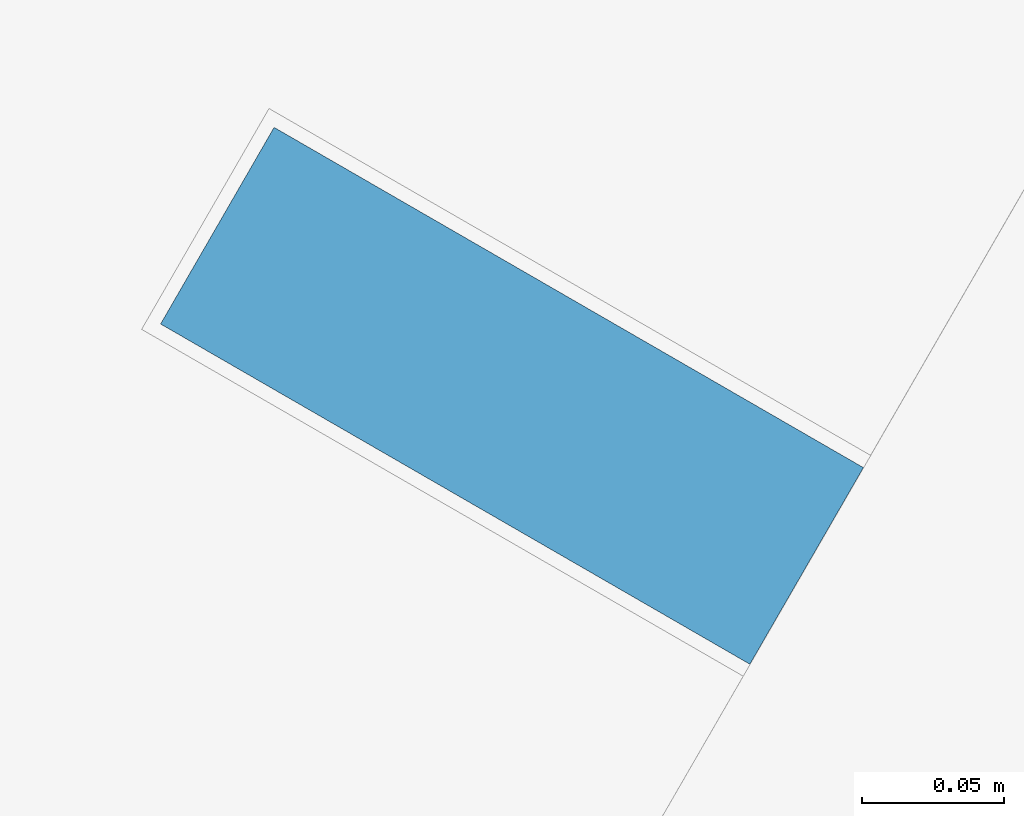
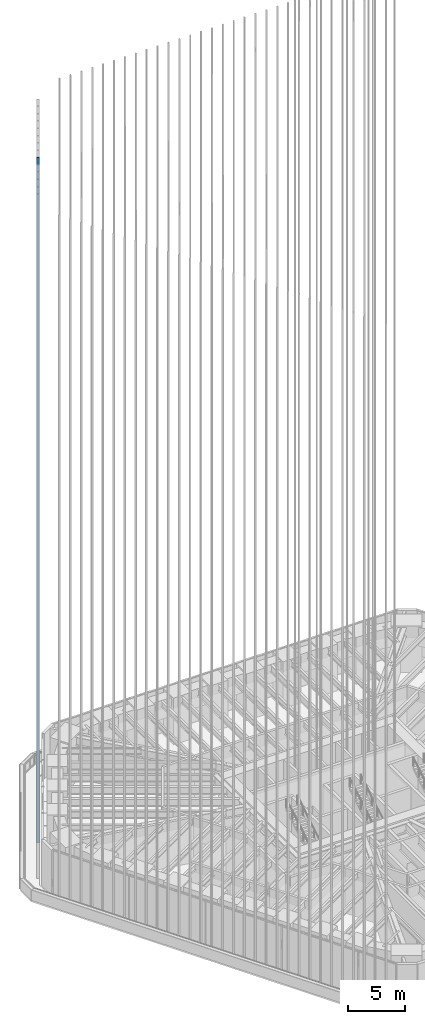
# One storey, part 140 of 228: 1 member, 1 element without a shape of its own.
"""IFC4 building model written with IfcOpenShell, lengths in metres."""

import ifcopenshell
import ifcopenshell.guid

model = None  # the IFC model being written
_history = None  # IfcOwnerHistory: only IFC2X3 demands one
_inside = {}  # id of a spatial element -> (the spatial element, [elements in it])
_under = {}  # id of a project, library or spatial element -> (it, [spatial elements below it])
_declared = {}  # id of a project -> (the project, [libraries it declares])
_typed = {}  # id of a type object -> (the type object, [elements of that type])
_made_of = {}  # id of a material, layer set ... -> (it, [elements and type objects made of it])


def new_model(schema):
    """Start an empty IFC model of exactly this schema.

    Asked for "IFC4X3", IfcOpenShell would pick the latest addendum, in which some entities
    have other attributes; the version numbers below select the first issue.
    IFC2X3 requires an IfcOwnerHistory on every rooted entity: one is made here for all.
    """
    global model, _history
    if schema == "IFC4X3":
        model = ifcopenshell.file(schema_version=(4, 3, 0, 0))
    else:
        model = ifcopenshell.file(schema=schema)
    _inside.clear()
    _under.clear()
    _declared.clear()
    _typed.clear()
    _made_of.clear()
    _history = None
    if model.schema == "IFC2X3":
        org = make("IfcOrganization", Name="unknown")
        user = make(
            "IfcPersonAndOrganization",
            ThePerson=make("IfcPerson", FamilyName="unknown"),
            TheOrganization=org,
        )
        app = make(
            "IfcApplication",
            ApplicationDeveloper=org,
            Version="unknown",
            ApplicationFullName="unknown",
            ApplicationIdentifier="unknown",
        )
        _history = make(
            "IfcOwnerHistory",
            OwningUser=user,
            OwningApplication=app,
            ChangeAction="ADDED",
            CreationDate=0,
        )
    return model


def make(cls, **values):
    """One entity of the class cls with the attributes given. An attribute that is None is left unset."""
    return model.create_entity(
        cls, **{name: value for name, value in values.items() if value is not None}
    )


def rooted(cls, **values):
    """An entity with a GlobalId (a new one), such as an element, a storey or a relation."""
    return make(cls, GlobalId=ifcopenshell.guid.new(), OwnerHistory=_history, **values)


def si_unit(unit_type, name, prefix=None):
    """IfcSIUnit, for example si_unit("LENGTHUNIT", "METRE", prefix="MILLI")."""
    return make("IfcSIUnit", UnitType=unit_type, Prefix=prefix, Name=name)


def assignment(units):
    """IfcUnitAssignment: the units of a project."""
    return None if units is None else make("IfcUnitAssignment", Units=units)


def point(xyz):
    """IfcCartesianPoint."""
    return None if xyz is None else make("IfcCartesianPoint", Coordinates=xyz)


def direction(xyz):
    """IfcDirection."""
    return None if xyz is None else make("IfcDirection", DirectionRatios=xyz)


def frame(location, z_axis=None, x_axis=None):
    """IfcAxis2Placement3D, a coordinate frame: its origin and axes. An axis left out is left unset."""
    return make(
        "IfcAxis2Placement3D",
        Location=point(location),
        Axis=direction(z_axis),
        RefDirection=direction(x_axis),
    )


def frame_2d(location, x_axis=None):
    """IfcAxis2Placement2D, a coordinate frame in the plane: its origin and x axis."""
    return make(
        "IfcAxis2Placement2D", Location=point(location), RefDirection=direction(x_axis)
    )


def origin():
    """The frame at (0, 0, 0) with its axes left unset."""
    return frame((0.0, 0.0, 0.0))


def origin_2d():
    """The frame at (0, 0) in the plane with its x axis left unset."""
    return frame_2d((0.0, 0.0))


def place(relative_to, where):
    """IfcLocalPlacement: puts the frame where relative to a parent placement (None: the world)."""
    return make(
        "IfcLocalPlacement", PlacementRelTo=relative_to, RelativePlacement=where
    )


def context(
    kind, dimensions, precision=None, world=None, true_north=None, identifier=None
):
    """IfcGeometricRepresentationContext, for example the 3D "Model" context."""
    return make(
        "IfcGeometricRepresentationContext",
        ContextIdentifier=identifier,
        ContextType=kind,
        CoordinateSpaceDimension=dimensions,
        Precision=precision,
        WorldCoordinateSystem=world,
        TrueNorth=true_north,
    )


def subcontext(parent, identifier, kind, view, scale=None):
    """IfcGeometricRepresentationSubContext, for example "Body" below "Model"."""
    return make(
        "IfcGeometricRepresentationSubContext",
        ContextIdentifier=identifier,
        ContextType=kind,
        ParentContext=parent,
        TargetScale=scale,
        TargetView=view,
    )


def project(units=None, contexts=None):
    """IfcProject with its units and contexts."""
    return rooted(
        "IfcProject",
        Name="project",
        RepresentationContexts=contexts,
        UnitsInContext=assignment(units),
    )


def spatial(cls, under=None, at=None, **own):
    """A site, building, storey or space (cls), placed at a placement, below another one or the project."""
    s = rooted(cls, ObjectPlacement=at, **own)
    if under is not None:
        _under.setdefault(under.id(), (under, []))[1].append(s)
    return s


def profile(cls, at=None, kind="AREA", **sizes):
    """A parametric profile (cls). Its sizes go by their IFC names, for example OverallWidth=200.0."""
    return make(cls, ProfileType=kind, Position=at, **sizes)


def rectangle(**sizes):
    """IfcRectangleProfileDef."""
    return profile("IfcRectangleProfileDef", **sizes)


def extrude(swept, where, along, depth):
    """IfcExtrudedAreaSolid: the profile swept, set in the frame where, extruded along a direction by depth."""
    return make(
        "IfcExtrudedAreaSolid",
        SweptArea=swept,
        Position=where,
        ExtrudedDirection=direction(along),
        Depth=depth,
    )


def shape(context_of_items, identifier, shape_type, items):
    """IfcShapeRepresentation: the items that make up one representation, for example the "Body"."""
    return make(
        "IfcShapeRepresentation",
        ContextOfItems=context_of_items,
        RepresentationIdentifier=identifier,
        RepresentationType=shape_type,
        Items=items,
    )


def material(Name=None, Category=None):
    """IfcMaterial."""
    return make("IfcMaterial", Name=Name, Category=Category)


def material_profile(
    of_material, cross_section, Name=None, Category=None, Priority=None
):
    """IfcMaterialProfile: a cross section and its material."""
    return make(
        "IfcMaterialProfile",
        Name=Name,
        Material=of_material,
        Profile=cross_section,
        Priority=Priority,
        Category=Category,
    )


def profile_set(profiles, Name=None, composite=None):
    """IfcMaterialProfileSet."""
    return make(
        "IfcMaterialProfileSet",
        Name=Name,
        MaterialProfiles=profiles,
        CompositeProfile=composite,
    )


def made_of(thing, what):
    """Note that an element or type object is made of a material, layer set ...; save() writes the relation."""
    if what is not None:
        _made_of.setdefault(what.id(), (what, []))[1].append(thing)
    return thing


def type_object(cls, material=None, **own):
    """A type object (cls), such as IfcWallType, which elements share."""
    return made_of(rooted(cls, **own), material)


def element(
    cls,
    number,
    at=None,
    inside=None,
    cuts=None,
    type_object=None,
    material=None,
    context=None,
    identifier="Body",
    shape_type=None,
    held_by="IfcProductDefinitionShape",
    body=None,
    shapes=None,
    **own,
):
    """One element of the class cls, such as IfcWall. Its Tag is "e" and its number.

    at: its placement. inside: the storey or other place that contains it. cuts: it is an
    opening in that element (IfcRelVoidsElement). A single representation is given by context,
    identifier, shape_type and body (its items); several are given by shapes. held_by: the class
    of the entity that holds the representations. save() writes the other relations.
    """
    e = rooted(cls, Tag="e%d" % number, ObjectPlacement=at, **own)
    if body is not None:
        shapes = [shape(context, identifier, shape_type, body)]
    if shapes is not None:
        e.Representation = make(held_by, Representations=shapes)
    if inside is not None:
        _inside.setdefault(inside.id(), (inside, []))[1].append(e)
    if cuts is not None:
        rooted(
            "IfcRelVoidsElement", RelatingBuildingElement=cuts, RelatedOpeningElement=e
        )
    if type_object is not None:
        _typed.setdefault(type_object.id(), (type_object, []))[1].append(e)
    return made_of(e, material)


def aggregate(whole, parts):
    """IfcRelAggregates: a whole, such as a stair, and the parts it consists of."""
    return rooted("IfcRelAggregates", RelatingObject=whole, RelatedObjects=parts)


def save(model, path):
    """Write the relations noted so far, then the file.

    IfcRelAggregates (storeys below a building ...), IfcRelContainedInSpatialStructure (elements
    in a storey), IfcRelDefinesByType, IfcRelAssociatesMaterial and IfcRelDeclares: one each for
    every whole, place, type object, material and project.
    """
    for whole, parts in _under.values():
        aggregate(whole, parts)
    for where, things in _inside.values():
        rooted(
            "IfcRelContainedInSpatialStructure",
            RelatedElements=things,
            RelatingStructure=where,
        )
    for kind, things in _typed.values():
        rooted("IfcRelDefinesByType", RelatedObjects=things, RelatingType=kind)
    for what, things in _made_of.values():
        rooted("IfcRelAssociatesMaterial", RelatedObjects=things, RelatingMaterial=what)
    for by, libraries in _declared.values():
        rooted("IfcRelDeclares", RelatingContext=by, RelatedDefinitions=libraries)
    model.write(path)


model = new_model("IFC4")

# Units and contexts
model_context = context("Model", 3, precision=1e-05, world=origin(), true_north=direction((0.0, 1.0)))
body_context = subcontext(model_context, "Body", "Model", "MODEL_VIEW")
ifc_project = project(units=[si_unit("LENGTHUNIT", "METRE"), si_unit("AREAUNIT", "SQUARE_METRE"), si_unit("VOLUMEUNIT", "CUBIC_METRE"), si_unit("PLANEANGLEUNIT", "RADIAN"), si_unit("MASSUNIT", "GRAM", prefix="KILO")], contexts=[model_context])

# Site, building, storey
site_placement = place(None, origin())
site = spatial("IfcSite", under=ifc_project, at=site_placement, CompositionType="ELEMENT")
building_placement = place(site_placement, origin())
building = spatial("IfcBuilding", under=site, at=building_placement, Name="Sandreach Pilgrim Tower", CompositionType="ELEMENT")
storey_placement = place(building_placement, frame((0.0, 0.0, 178.199951171875)))
storey = spatial("IfcBuildingStorey", under=building, at=storey_placement, Name="L44", CompositionType="ELEMENT", Elevation=178.199951171875)

# Curtain wall, member
ifc_material_1 = material(Name="Aluminium framed curtain wall", Category="aluminium")
curtain_wall_type = type_object("IfcCurtainWallType", Name="Upper hotel tower curtain wall", PredefinedType="NOTDEFINED", material=ifc_material_1)
curtain_wall_placement = place(storey_placement, origin())
curtain_wall = element("IfcCurtainWall", 1, at=curtain_wall_placement, inside=storey, type_object=curtain_wall_type, Name="CW-3 L44 NW", PredefinedType="NOTDEFINED")
ifc_material_2 = material(Name="Extruded terracotta on aluminium core", Category="masonry")
ifc_material_profile = material_profile(ifc_material_2, rectangle(XDim=0.080078125, YDim=0.239990234375, at=origin_2d()), Name="TBW 80X240")
ifc_profile_set = profile_set([ifc_material_profile], Name="Extruded terracotta on aluminium core")
member_type = type_object("IfcMemberType", Name="Terracotta baguette west", PredefinedType="USERDEFINED", material=ifc_profile_set)
member_placement = place(storey_placement, frame((-24.169189453125, 12.028076171875, 0.0), z_axis=(0.0, 0.0, 1.0), x_axis=(0.5, 0.866025403784, 0.0)))
member = element("IfcMember", 2, at=member_placement, type_object=member_type, Name="Baguette Z3 NW06", ObjectType="BAGUETTE", PredefinedType="USERDEFINED", context=body_context, shape_type="SweptSolid", body=[
    extrude(rectangle(XDim=0.080078125, YDim=0.239990234375, at=origin_2d()), origin(), (0.0, 0.0, 1.0), 73.239990234375),
])
aggregate(curtain_wall, [member])

save(model, "model.ifc")
